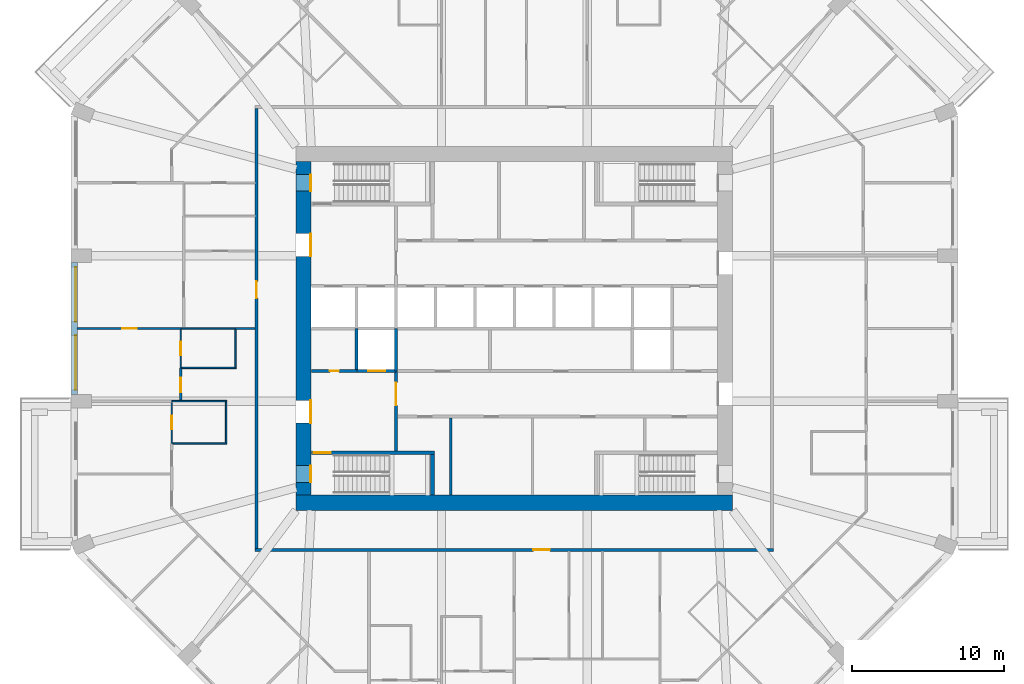
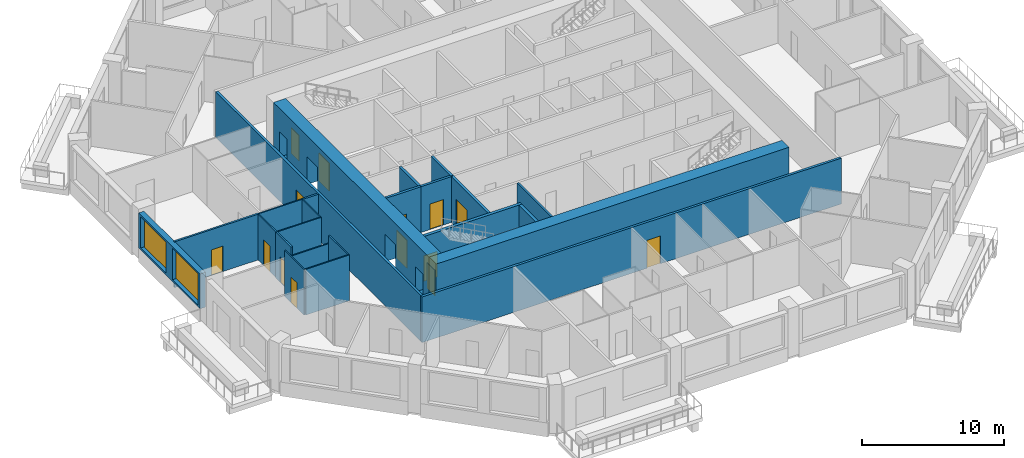
# One storey, part 4 of 13: 24 walls, 14 doors, 2 windows, 16 openings.
"""IFC4 building model written with IfcOpenShell, lengths in metres."""

from ifc_helpers import new_model, si_unit, direction, frame, frame_2d, origin, place, context, subcontext, project, spatial, rectangle, extrude, material, layer, layer_set, type_object, element, fill, save


model = new_model("IFC4")

# Units and contexts
model_context = context("Model", 3, precision=1e-05, world=origin(), true_north=direction((0.0, 1.0)))
body_context = subcontext(model_context, "Body", "Model", "MODEL_VIEW")
ifc_project = project(units=[si_unit("LENGTHUNIT", "METRE"), si_unit("AREAUNIT", "SQUARE_METRE"), si_unit("VOLUMEUNIT", "CUBIC_METRE"), si_unit("PLANEANGLEUNIT", "RADIAN"), si_unit("MASSUNIT", "GRAM", prefix="KILO")], contexts=[model_context])

# Site, building, storey
site_placement = place(None, origin())
site = spatial("IfcSite", under=ifc_project, at=site_placement, CompositionType="ELEMENT")
building_placement = place(site_placement, origin())
building = spatial("IfcBuilding", under=site, at=building_placement, Name="Msitu Wima Residences", CompositionType="ELEMENT")
storey_placement = place(building_placement, frame((0.0, 0.0, 84.300048828125)))
storey = spatial("IfcBuildingStorey", under=building, at=storey_placement, Name="L19", CompositionType="ELEMENT", Elevation=84.300048828125)

# Wall, openings, windows
ifc_material_1 = material(Name="Brick (red buff mix)", Category="masonry")
ifc_layer_1 = layer(ifc_material_1, 0.449951171875)
ifc_layer_set_1 = layer_set([ifc_layer_1], Name="Brick (red buff mix)")
wall_type_1 = type_object("IfcWallType", Name="Brick infill wall BW450", PredefinedType="SOLIDWALL", material=ifc_layer_set_1)
wall_1_placement = place(storey_placement, frame((-29.02490234375, 4.35009765625, 0.89990234375), z_axis=(0.0, 0.0, 1.0), x_axis=(0.0, -1.0, 0.0)))
wall_1 = element("IfcWall", 1, at=wall_1_placement, inside=storey, type_object=wall_type_1, Name="Brick infill wall L19 W1", PredefinedType="SOLIDWALL", context=body_context, shape_type="SweptSolid", body=[
    extrude(rectangle(XDim=8.7001953125, YDim=0.449951171875, at=frame_2d((4.35009765625, 0.0))), origin(), (0.0, 0.0, 1.0), 3.0),
])
opening_1_placement = place(wall_1_placement, frame((0.300048828125, 0.0, 0.14990234375)))
opening_1 = element("IfcOpeningElement", 2, at=opening_1_placement, cuts=wall_1, Name="Opening W18-20.031", PredefinedType="OPENING", context=body_context, shape_type="SweptSolid", body=[
    extrude(rectangle(XDim=3.60009765625, YDim=2.699951171875, at=frame_2d((1.800048828125, 1.35009765625))), frame((0.0, 0.23486328125, 0.0), z_axis=(0.0, -1.0, 0.0), x_axis=(1.0, 0.0, 0.0)), (0.0, 0.0, 1.0), 0.469970703125),
])
opening_2_placement = place(wall_1_placement, frame((4.800048828125, 0.0, 0.14990234375)))
opening_2 = element("IfcOpeningElement", 3, at=opening_2_placement, cuts=wall_1, Name="Opening W18-20.032", PredefinedType="OPENING", context=body_context, shape_type="SweptSolid", body=[
    extrude(rectangle(XDim=3.60009765625, YDim=2.699951171875, at=frame_2d((1.800048828125, 1.35009765625))), frame((0.0, 0.23486328125, 0.0), z_axis=(0.0, -1.0, 0.0), x_axis=(1.0, 0.0, 0.0)), (0.0, 0.0, 1.0), 0.469970703125),
])
ifc_material_2 = material(Name="Anodised aluminium, bronze finish, clear low-emissivity double glazing", Category="aluminium")
window_type = type_object("IfcWindowType", Name="Window W3600x2700", PartitioningType="DOUBLE_PANEL_VERTICAL", PredefinedType="WINDOW", material=ifc_material_2)
window_1_placement = place(opening_1_placement, origin())
window_1 = element("IfcWindow", 4, at=window_1_placement, inside=storey, type_object=window_type, Name="Window L19 W1.1", OverallHeight=2.699951171875, OverallWidth=3.60009765625, PartitioningType="SINGLE_PANEL", PredefinedType="WINDOW", context=body_context, shape_type="SweptSolid", body=[
    extrude(rectangle(XDim=3.60009765625, YDim=2.699951171875, at=frame_2d((1.800048828125, 1.35009765625))), frame((0.0, 0.135009765625, 0.0), z_axis=(0.0, -1.0, 0.0), x_axis=(1.0, 0.0, 0.0)), (0.0, 0.0, 1.0), 0.06005859375),
])
fill(opening_1, window_1)
window_2_placement = place(opening_2_placement, origin())
window_2 = element("IfcWindow", 5, at=window_2_placement, inside=storey, type_object=window_type, Name="Window L19 W1.2", OverallHeight=2.699951171875, OverallWidth=3.60009765625, PartitioningType="SINGLE_PANEL", PredefinedType="WINDOW", context=body_context, shape_type="SweptSolid", body=[
    extrude(rectangle(XDim=3.60009765625, YDim=2.699951171875, at=frame_2d((1.800048828125, 1.35009765625))), frame((0.0, 0.135009765625, 0.0), z_axis=(0.0, -1.0, 0.0), x_axis=(1.0, 0.0, 0.0)), (0.0, 0.0, 1.0), 0.06005859375),
])
fill(opening_2, window_2)

# Wall
ifc_material_3 = material(Name="Concrete C80/95", Category="concrete")
ifc_layer_2 = layer(ifc_material_3, 1.0)
ifc_layer_set_2 = layer_set([ifc_layer_2], Name="Concrete C80/95")
wall_type_2 = type_object("IfcWallType", Name="Core wall CW1000 C80/95", PredefinedType="SHEAR", material=ifc_layer_set_2)
wall_2_placement = place(storey_placement, frame((-14.39990234375, -11.5, 0.0), z_axis=(0.0, 0.0, 1.0), x_axis=(1.0, 0.0, 0.0)))
element("IfcWall", 6, at=wall_2_placement, inside=storey, type_object=wall_type_2, Name="Core wall", PredefinedType="SHEAR", context=body_context, shape_type="SweptSolid", body=[
    extrude(rectangle(XDim=28.7998046875, YDim=1.0, at=frame_2d((14.39990234375, 0.0))), origin(), (0.0, 0.0, 1.0), 4.199951171875),
])

# Wall, openings, doors
wall_3_placement = place(storey_placement, frame((-13.89990234375, -11.0, 0.0), z_axis=(0.0, 0.0, 1.0), x_axis=(0.0, 1.0, 0.0)))
wall_3 = element("IfcWall", 7, at=wall_3_placement, inside=storey, type_object=wall_type_2, Name="Core wall", PredefinedType="SHEAR", context=body_context, shape_type="SweptSolid", body=[
    extrude(rectangle(XDim=22.0, YDim=1.0, at=frame_2d((11.0, 0.0))), origin(), (0.0, 0.0, 1.0), 4.199951171875),
])
opening_3_placement = place(wall_3_placement, frame((20.050048828125, 0.0, 0.0)))
opening_3 = element("IfcOpeningElement", 8, at=opening_3_placement, cuts=wall_3, Name="Opening D18-20.031", PredefinedType="OPENING", context=body_context, shape_type="SweptSolid", body=[
    extrude(rectangle(XDim=1.10009765625, YDim=2.199951171875, at=frame_2d((0.550048828125, 1.10009765625))), frame((0.0, 0.510009765625, 0.0), z_axis=(0.0, -1.0, 0.0), x_axis=(1.0, 0.0, 0.0)), (0.0, 0.0, 1.0), 1.02001953125),
])
opening_4_placement = place(wall_3_placement, frame((0.85009765625, 0.0, 0.0)))
opening_4 = element("IfcOpeningElement", 9, at=opening_4_placement, cuts=wall_3, Name="Opening D18-20.033", PredefinedType="OPENING", context=body_context, shape_type="SweptSolid", body=[
    extrude(rectangle(XDim=1.10009765625, YDim=2.199951171875, at=frame_2d((0.550048828125, 1.10009765625))), frame((0.0, 0.510009765625, 0.0), z_axis=(0.0, -1.0, 0.0), x_axis=(1.0, 0.0, 0.0)), (0.0, 0.0, 1.0), 1.02001953125),
])
opening_5_placement = place(wall_3_placement, frame((15.75, 0.0, 0.0)))
opening_5 = element("IfcOpeningElement", 10, at=opening_5_placement, cuts=wall_3, Name="Opening D18-20.012", PredefinedType="OPENING", context=body_context, shape_type="SweptSolid", body=[
    extrude(rectangle(XDim=1.5, YDim=2.39990234375, at=frame_2d((0.75, 1.199951171875))), frame((0.0, 0.510009765625, 0.0), z_axis=(0.0, -1.0, 0.0), x_axis=(1.0, 0.0, 0.0)), (0.0, 0.0, 1.0), 1.02001953125),
])
opening_6_placement = place(wall_3_placement, frame((4.75, 0.0, 0.0)))
opening_6 = element("IfcOpeningElement", 11, at=opening_6_placement, cuts=wall_3, Name="Opening D18-20.014", PredefinedType="OPENING", context=body_context, shape_type="SweptSolid", body=[
    extrude(rectangle(XDim=1.5, YDim=2.39990234375, at=frame_2d((0.75, 1.199951171875))), frame((0.0, 0.510009765625, 0.0), z_axis=(0.0, -1.0, 0.0), x_axis=(1.0, 0.0, 0.0)), (0.0, 0.0, 1.0), 1.02001953125),
])
ifc_material_4 = material(Name="Steel framed glazed door, fire resisting", Category="steel")
door_type_1 = type_object("IfcDoorType", Name="Lobby door D07 1500x2400", OperationType="DOUBLE_DOOR_SINGLE_SWING", PredefinedType="DOOR", material=ifc_material_4)
door_1_placement = place(opening_5_placement, origin())
door_1 = element("IfcDoor", 12, at=door_1_placement, inside=storey, type_object=door_type_1, Name="Lobby door", OperationType="DOUBLE_DOOR_SINGLE_SWING", OverallHeight=2.39990234375, OverallWidth=1.5, PredefinedType="DOOR", context=body_context, shape_type="SweptSolid", body=[
    extrude(rectangle(XDim=1.5, YDim=2.39990234375, at=frame_2d((0.75, 1.199951171875))), frame((0.0, -0.44482421875, 0.0), z_axis=(0.0, -1.0, 0.0), x_axis=(1.0, 0.0, 0.0)), (0.0, 0.0, 1.0), 0.050048828125),
])
fill(opening_5, door_1)
door_2_placement = place(opening_6_placement, origin())
door_2 = element("IfcDoor", 13, at=door_2_placement, inside=storey, type_object=door_type_1, Name="Lobby door", OperationType="DOUBLE_DOOR_SINGLE_SWING", OverallHeight=2.39990234375, OverallWidth=1.5, PredefinedType="DOOR", context=body_context, shape_type="SweptSolid", body=[
    extrude(rectangle(XDim=1.5, YDim=2.39990234375, at=frame_2d((0.75, 1.199951171875))), frame((0.0, -0.44482421875, 0.0), z_axis=(0.0, -1.0, 0.0), x_axis=(1.0, 0.0, 0.0)), (0.0, 0.0, 1.0), 0.050048828125),
])
fill(opening_6, door_2)
ifc_material_5 = material(Name="Steel door, fire resisting, panic bar", Category="steel")
door_type_2 = type_object("IfcDoorType", Name="Stair door D06 1100x2200", OperationType="SINGLE_SWING_LEFT", PredefinedType="DOOR", material=ifc_material_5)
door_3_placement = place(opening_3_placement, origin())
door_3 = element("IfcDoor", 14, at=door_3_placement, inside=storey, type_object=door_type_2, Name="Stair door", OperationType="SINGLE_SWING_RIGHT", OverallHeight=2.199951171875, OverallWidth=1.10009765625, PredefinedType="DOOR", context=body_context, shape_type="SweptSolid", body=[
    extrude(rectangle(XDim=1.10009765625, YDim=2.199951171875, at=frame_2d((0.550048828125, 1.10009765625))), frame((0.0, -0.44482421875, 0.0), z_axis=(0.0, -1.0, 0.0), x_axis=(1.0, 0.0, 0.0)), (0.0, 0.0, 1.0), 0.050048828125),
])
fill(opening_3, door_3)
door_4_placement = place(opening_4_placement, origin())
door_4 = element("IfcDoor", 15, at=door_4_placement, inside=storey, type_object=door_type_2, Name="Stair door", OperationType="SINGLE_SWING_LEFT", OverallHeight=2.199951171875, OverallWidth=1.10009765625, PredefinedType="DOOR", context=body_context, shape_type="SweptSolid", body=[
    extrude(rectangle(XDim=1.10009765625, YDim=2.199951171875, at=frame_2d((0.550048828125, 1.10009765625))), frame((0.0, -0.44482421875, 0.0), z_axis=(0.0, -1.0, 0.0), x_axis=(1.0, 0.0, 0.0)), (0.0, 0.0, 1.0), 0.050048828125),
])
fill(opening_4, door_4)

# Wall, opening, door
ifc_material_6 = material(Name="Plaster")
ifc_layer_3 = layer(ifc_material_6, 0.011962890625, Name="Plaster")
ifc_material_7 = material(Name="Concrete blockwork", Category="masonry")
ifc_layer_4 = layer(ifc_material_7, 0.176025390625, Name="Concrete blockwork")
ifc_layer_5 = layer(ifc_material_6, 0.011962890625, Name="Plaster")
ifc_layer_set_3 = layer_set([ifc_layer_3, ifc_layer_4, ifc_layer_5], Name="Concrete blockwork")
wall_type_3 = type_object("IfcWallType", Name="Corridor wall FW200", PredefinedType="PARTITIONING", material=ifc_layer_set_3)
wall_4_placement = place(storey_placement, frame((-17.0, -14.5, 0.0), z_axis=(0.0, 0.0, 1.0), x_axis=(0.0, 1.0, 0.0)))
wall_4 = element("IfcWall", 16, at=wall_4_placement, inside=storey, type_object=wall_type_3, Name="Corridor wall", PredefinedType="PARTITIONING", context=body_context, shape_type="SweptSolid", body=[
    extrude(rectangle(XDim=29.0, YDim=0.199951171875, at=frame_2d((14.5, 0.0))), origin(), (0.0, 0.0, 1.0), 3.949951171875),
])
opening_7_placement = place(wall_4_placement, frame((16.5, 0.0, 0.0)))
opening_7 = element("IfcOpeningElement", 17, at=opening_7_placement, cuts=wall_4, Name="Opening D18-20.009", PredefinedType="OPENING", context=body_context, shape_type="SweptSolid", body=[
    extrude(rectangle(XDim=1.10009765625, YDim=2.39990234375, at=frame_2d((0.550048828125, 1.199951171875))), frame((0.0, 0.10986328125, 0.0), z_axis=(0.0, -1.0, 0.0), x_axis=(1.0, 0.0, 0.0)), (0.0, 0.0, 1.0), 0.219970703125),
])
ifc_material_8 = material(Name="Timber flush door, fire resisting, self-closing", Category="wood")
door_type_3 = type_object("IfcDoorType", Name="Flat entrance door D01 1100x2400", OperationType="SINGLE_SWING_LEFT", PredefinedType="DOOR", material=ifc_material_8)
door_5_placement = place(opening_7_placement, origin())
door_5 = element("IfcDoor", 18, at=door_5_placement, inside=storey, type_object=door_type_3, Name="Flat entrance door", OperationType="SINGLE_SWING_RIGHT", OverallHeight=2.39990234375, OverallWidth=1.10009765625, PredefinedType="DOOR", context=body_context, shape_type="SweptSolid", body=[
    extrude(rectangle(XDim=1.10009765625, YDim=2.39990234375, at=frame_2d((0.550048828125, 1.199951171875))), frame((0.0, 0.02490234375, 0.0), z_axis=(0.0, -1.0, 0.0), x_axis=(1.0, 0.0, 0.0)), (0.0, 0.0, 1.0), 0.050048828125),
])
fill(opening_7, door_5)

wall_5_placement = place(storey_placement, frame((-17.10009765625, -14.60009765625, 0.0), z_axis=(0.0, 0.0, 1.0), x_axis=(1.0, 0.0, 0.0)))
wall_5 = element("IfcWall", 19, at=wall_5_placement, inside=storey, type_object=wall_type_3, Name="Corridor wall", PredefinedType="PARTITIONING", context=body_context, shape_type="SweptSolid", body=[
    extrude(rectangle(XDim=34.2001953125, YDim=0.199951171875, at=frame_2d((17.10009765625, 0.0))), origin(), (0.0, 0.0, 1.0), 3.949951171875),
])
opening_8_placement = place(wall_5_placement, frame((18.35009765625, 0.0, 0.0)))
opening_8 = element("IfcOpeningElement", 20, at=opening_8_placement, cuts=wall_5, Name="Opening D18-20.010", PredefinedType="OPENING", context=body_context, shape_type="SweptSolid", body=[
    extrude(rectangle(XDim=1.10009765625, YDim=2.39990234375, at=frame_2d((0.550048828125, 1.199951171875))), frame((0.0, 0.10986328125, 0.0), z_axis=(0.0, -1.0, 0.0), x_axis=(1.0, 0.0, 0.0)), (0.0, 0.0, 1.0), 0.219970703125),
])
door_6_placement = place(opening_8_placement, origin())
door_6 = element("IfcDoor", 21, at=door_6_placement, inside=storey, type_object=door_type_3, Name="Flat entrance door", OperationType="SINGLE_SWING_RIGHT", OverallHeight=2.39990234375, OverallWidth=1.10009765625, PredefinedType="DOOR", context=body_context, shape_type="SweptSolid", body=[
    extrude(rectangle(XDim=1.10009765625, YDim=2.39990234375, at=frame_2d((0.550048828125, 1.199951171875))), frame((0.0, 0.02490234375, 0.0), z_axis=(0.0, -1.0, 0.0), x_axis=(1.0, 0.0, 0.0)), (0.0, 0.0, 1.0), 0.050048828125),
])
fill(opening_8, door_6)

wall_6_placement = place(storey_placement, frame((-7.800048828125, -8.074951171875, 0.0), z_axis=(0.0, 0.0, 1.0), x_axis=(0.0, 1.0, 0.0)))
wall_6 = element("IfcWall", 22, at=wall_6_placement, inside=storey, type_object=wall_type_3, Name="Corridor wall", PredefinedType="PARTITIONING", context=body_context, shape_type="SweptSolid", body=[
    extrude(rectangle(XDim=5.27490234375, YDim=0.199951171875, at=frame_2d((2.637451171875, 0.0))), origin(), (0.0, 0.0, 1.0), 3.949951171875),
])
opening_9_placement = place(wall_6_placement, frame((3.0, 0.0, 0.0)))
opening_9 = element("IfcOpeningElement", 23, at=opening_9_placement, cuts=wall_6, Name="Opening D18-20.015", PredefinedType="OPENING", context=body_context, shape_type="SweptSolid", body=[
    extrude(rectangle(XDim=1.5, YDim=2.39990234375, at=frame_2d((0.75, 1.199951171875))), frame((0.0, 0.10986328125, 0.0), z_axis=(0.0, -1.0, 0.0), x_axis=(1.0, 0.0, 0.0)), (0.0, 0.0, 1.0), 0.219970703125),
])
door_7_placement = place(opening_9_placement, origin())
door_7 = element("IfcDoor", 24, at=door_7_placement, inside=storey, type_object=door_type_1, Name="Lobby door", OperationType="DOUBLE_DOOR_SINGLE_SWING", OverallHeight=2.39990234375, OverallWidth=1.5, PredefinedType="DOOR", context=body_context, shape_type="SweptSolid", body=[
    extrude(rectangle(XDim=1.5, YDim=2.39990234375, at=frame_2d((0.75, 1.199951171875))), frame((0.0, 0.02490234375, 0.0), z_axis=(0.0, -1.0, 0.0), x_axis=(1.0, 0.0, 0.0)), (0.0, 0.0, 1.0), 0.050048828125),
])
fill(opening_9, door_7)

ifc_layer_6 = layer(ifc_material_6, 0.011962890625, Name="Plaster")
ifc_layer_7 = layer(ifc_material_7, 0.1259765625, Name="Concrete blockwork")
ifc_layer_8 = layer(ifc_material_6, 0.011962890625, Name="Plaster")
ifc_layer_set_4 = layer_set([ifc_layer_6, ifc_layer_7, ifc_layer_8], Name="Concrete blockwork")
wall_type_4 = type_object("IfcWallType", Name="Partition PW150", PredefinedType="PARTITIONING", material=ifc_layer_set_4)
wall_7_placement = place(storey_placement, frame((-28.85498046875, 0.0, 0.0), z_axis=(0.0, 0.0, 1.0), x_axis=(1.0, 0.0, 0.0)))
wall_7 = element("IfcWall", 25, at=wall_7_placement, inside=storey, type_object=wall_type_4, Name="Partition", PredefinedType="PARTITIONING", context=body_context, shape_type="SweptSolid", body=[
    extrude(rectangle(XDim=6.875, YDim=0.14990234375, at=frame_2d((3.4375, 0.0))), origin(), (0.0, 0.0, 1.0), 3.949951171875),
])
opening_10_placement = place(wall_7_placement, frame((3.0, 0.0, 0.0)))
opening_10 = element("IfcOpeningElement", 26, at=opening_10_placement, cuts=wall_7, Name="Opening D18-20.054", PredefinedType="OPENING", context=body_context, shape_type="SweptSolid", body=[
    extrude(rectangle(XDim=0.949951171875, YDim=2.199951171875, at=frame_2d((0.47509765625, 1.10009765625))), frame((0.0, 0.0849609375, 0.0), z_axis=(0.0, -1.0, 0.0), x_axis=(1.0, 0.0, 0.0)), (0.0, 0.0, 1.0), 0.169921875),
])
ifc_material_9 = material(Name="Timber flush door", Category="wood")
door_type_4 = type_object("IfcDoorType", Name="Room door D12 950x2200", OperationType="SINGLE_SWING_LEFT", PredefinedType="DOOR", material=ifc_material_9)
door_8_placement = place(opening_10_placement, origin())
door_8 = element("IfcDoor", 27, at=door_8_placement, inside=storey, type_object=door_type_4, Name="Room door", OperationType="SINGLE_SWING_RIGHT", OverallHeight=2.199951171875, OverallWidth=0.949951171875, PredefinedType="DOOR", context=body_context, shape_type="SweptSolid", body=[
    extrude(rectangle(XDim=0.949951171875, YDim=2.199951171875, at=frame_2d((0.47509765625, 1.10009765625))), frame((0.0, 0.02490234375, 0.0), z_axis=(0.0, -1.0, 0.0), x_axis=(1.0, 0.0, 0.0)), (0.0, 0.0, 1.0), 0.050048828125),
])
fill(opening_10, door_8)

wall_8_placement = place(storey_placement, frame((-22.0, -4.75, 0.0), z_axis=(0.0, 0.0, 1.0), x_axis=(0.0, 1.0, 0.0)))
wall_8 = element("IfcWall", 28, at=wall_8_placement, inside=storey, type_object=wall_type_4, Name="Partition", PredefinedType="PARTITIONING", context=body_context, shape_type="SweptSolid", body=[
    extrude(rectangle(XDim=2.1298828125, YDim=0.14990234375, at=frame_2d((1.06494140625, 0.0))), origin(), (0.0, 0.0, 1.0), 3.949951171875),
])
opening_11_placement = place(wall_8_placement, frame((0.550048828125, 0.0, 0.0)))
opening_11 = element("IfcOpeningElement", 29, at=opening_11_placement, cuts=wall_8, Name="Opening D18-20.056", PredefinedType="OPENING", context=body_context, shape_type="SweptSolid", body=[
    extrude(rectangle(XDim=0.949951171875, YDim=2.199951171875, at=frame_2d((0.47509765625, 1.10009765625))), frame((0.0, 0.0849609375, 0.0), z_axis=(0.0, -1.0, 0.0), x_axis=(1.0, 0.0, 0.0)), (0.0, 0.0, 1.0), 0.169921875),
])
door_9_placement = place(opening_11_placement, origin())
door_9 = element("IfcDoor", 30, at=door_9_placement, inside=storey, type_object=door_type_4, Name="Room door", OperationType="SINGLE_SWING_LEFT", OverallHeight=2.199951171875, OverallWidth=0.949951171875, PredefinedType="DOOR", context=body_context, shape_type="SweptSolid", body=[
    extrude(rectangle(XDim=0.949951171875, YDim=2.199951171875, at=frame_2d((0.47509765625, 1.10009765625))), frame((0.0, 0.02490234375, 0.0), z_axis=(0.0, -1.0, 0.0), x_axis=(1.0, 0.0, 0.0)), (0.0, 0.0, 1.0), 0.050048828125),
])
fill(opening_11, door_9)

# Walls
wall_9_placement = place(storey_placement, frame((-18.3798828125, 0.0, 0.0), z_axis=(0.0, 0.0, 1.0), x_axis=(1.0, 0.0, 0.0)))
element("IfcWall", 31, at=wall_9_placement, inside=storey, type_object=wall_type_4, Name="Partition", PredefinedType="PARTITIONING", context=body_context, shape_type="SweptSolid", body=[
    extrude(rectangle(XDim=1.27978515625, YDim=0.14990234375, at=frame_2d((0.639892578125, 0.0))), origin(), (0.0, 0.0, 1.0), 3.949951171875),
])
wall_10_placement = place(storey_placement, frame((-4.199951171875, -10.969970703125, 0.0), z_axis=(0.0, 0.0, 1.0), x_axis=(0.0, 1.0, 0.0)))
element("IfcWall", 32, at=wall_10_placement, inside=storey, type_object=wall_type_4, Name="Partition", PredefinedType="PARTITIONING", context=body_context, shape_type="SweptSolid", body=[
    extrude(rectangle(XDim=5.070068359375, YDim=0.14990234375, at=frame_2d((2.53515625, 0.0))), origin(), (0.0, 0.0, 1.0), 3.949951171875),
])

# Wall, opening, door
ifc_layer_9 = layer(ifc_material_6, 0.011962890625, Name="Plaster")
ifc_material_10 = material(Name="Reinforced concrete blockwork", Category="masonry")
ifc_layer_10 = layer(ifc_material_10, 0.176025390625, Name="Reinforced concrete blockwork")
ifc_layer_11 = layer(ifc_material_6, 0.011962890625, Name="Plaster")
ifc_layer_set_5 = layer_set([ifc_layer_9, ifc_layer_10, ifc_layer_11], Name="Reinforced concrete blockwork")
wall_type_5 = type_object("IfcWallType", Name="Plant and riser wall PL200", PredefinedType="PARTITIONING", material=ifc_layer_set_5)
wall_11_placement = place(storey_placement, frame((-13.3701171875, -2.800048828125, 0.0), z_axis=(0.0, 0.0, 1.0), x_axis=(1.0, 0.0, 0.0)))
wall_11 = element("IfcWall", 33, at=wall_11_placement, inside=storey, type_object=wall_type_5, Name="Plant and riser wall", PredefinedType="PARTITIONING", context=body_context, shape_type="SweptSolid", body=[
    extrude(rectangle(XDim=2.990234375, YDim=0.199951171875, at=frame_2d((1.4951171875, 0.0))), origin(), (0.0, 0.0, 1.0), 3.949951171875),
])
opening_12_placement = place(wall_11_placement, frame((1.199951171875, 0.0, 0.0)))
opening_12 = element("IfcOpeningElement", 34, at=opening_12_placement, cuts=wall_11, Name="Opening D18-20.028", PredefinedType="OPENING", context=body_context, shape_type="SweptSolid", body=[
    extrude(rectangle(XDim=0.60009765625, YDim=2.0, at=frame_2d((0.300048828125, 1.0))), frame((0.0, 0.10986328125, 0.0), z_axis=(0.0, -1.0, 0.0), x_axis=(1.0, 0.0, 0.0)), (0.0, 0.0, 1.0), 0.219970703125),
])
ifc_material_11 = material(Name="Steel access door, fire resisting", Category="steel")
door_type_5 = type_object("IfcDoorType", Name="Riser access door D08 600x2000", OperationType="SINGLE_SWING_LEFT", PredefinedType="DOOR", material=ifc_material_11)
door_10_placement = place(opening_12_placement, origin())
door_10 = element("IfcDoor", 35, at=door_10_placement, inside=storey, type_object=door_type_5, Name="Riser access door", OperationType="SINGLE_SWING_RIGHT", OverallHeight=2.0, OverallWidth=0.60009765625, PredefinedType="DOOR", context=body_context, shape_type="SweptSolid", body=[
    extrude(rectangle(XDim=0.60009765625, YDim=2.0, at=frame_2d((0.300048828125, 1.0))), frame((0.0, 0.02490234375, 0.0), z_axis=(0.0, -1.0, 0.0), x_axis=(1.0, 0.0, 0.0)), (0.0, 0.0, 1.0), 0.050048828125),
])
fill(opening_12, door_10)

# Wall
ifc_material_12 = material(Name="Fire-rated board")
ifc_layer_12 = layer(ifc_material_12, 0.02490234375, Name="Fire-rated board")
ifc_material_13 = material(Name="Light-gauge stud framing with mineral wool")
ifc_layer_13 = layer(ifc_material_13, 0.14990234375, Name="Light-gauge stud framing with mineral wool")
ifc_layer_14 = layer(ifc_material_12, 0.02490234375, Name="Fire-rated board")
ifc_layer_set_6 = layer_set([ifc_layer_12, ifc_layer_13, ifc_layer_14], Name="Light-gauge stud framing with mineral wool")
wall_type_6 = type_object("IfcWallType", Name="Shaft wall SH200", PredefinedType="PARTITIONING", material=ifc_layer_set_6)
wall_12_placement = place(storey_placement, frame((-10.39990234375, -2.699951171875, 0.0), z_axis=(0.0, 0.0, 1.0), x_axis=(0.0, 1.0, 0.0)))
element("IfcWall", 36, at=wall_12_placement, inside=storey, type_object=wall_type_6, Name="Shaft wall", PredefinedType="PARTITIONING", context=body_context, shape_type="SweptSolid", body=[
    extrude(rectangle(XDim=2.699951171875, YDim=0.199951171875, at=frame_2d((1.35009765625, 0.0))), origin(), (0.0, 0.0, 1.0), 3.949951171875),
])

# Wall, opening, door
wall_13_placement = place(storey_placement, frame((-10.3798828125, -2.800048828125, 0.0), z_axis=(0.0, 0.0, 1.0), x_axis=(1.0, 0.0, 0.0)))
wall_13 = element("IfcWall", 37, at=wall_13_placement, inside=storey, type_object=wall_type_6, Name="Shaft wall", PredefinedType="PARTITIONING", context=body_context, shape_type="SweptSolid", body=[
    extrude(rectangle(XDim=2.559814453125, YDim=0.199951171875, at=frame_2d((1.27978515625, 0.0))), origin(), (0.0, 0.0, 1.0), 3.949951171875),
])
opening_13_placement = place(wall_13_placement, frame((0.75, 0.0, 0.0)))
opening_13 = element("IfcOpeningElement", 38, at=opening_13_placement, cuts=wall_13, Name="Opening LD", PredefinedType="OPENING", context=body_context, shape_type="SweptSolid", body=[
    extrude(rectangle(XDim=1.10009765625, YDim=2.199951171875, at=frame_2d((0.550048828125, 1.10009765625))), frame((0.0, 0.10986328125, 0.0), z_axis=(0.0, -1.0, 0.0), x_axis=(1.0, 0.0, 0.0)), (0.0, 0.0, 1.0), 0.219970703125),
])
ifc_material_14 = material(Name="Stainless steel centre-opening landing door, rated", Category="steel")
door_type_6 = type_object("IfcDoorType", Name="Lift landing door LD 1100x2200", OperationType="DOUBLE_DOOR_SLIDING", PredefinedType="DOOR", material=ifc_material_14)
door_11_placement = place(opening_13_placement, origin())
door_11 = element("IfcDoor", 39, at=door_11_placement, inside=storey, type_object=door_type_6, Name="Lift landing door LD3", OperationType="DOUBLE_DOOR_SLIDING", OverallHeight=2.199951171875, OverallWidth=1.10009765625, PredefinedType="DOOR", context=body_context, shape_type="SweptSolid", body=[
    extrude(rectangle(XDim=1.10009765625, YDim=2.199951171875, at=frame_2d((0.550048828125, 1.10009765625))), frame((0.0, 0.02490234375, 0.0), z_axis=(0.0, -1.0, 0.0), x_axis=(1.0, 0.0, 0.0)), (0.0, 0.0, 1.0), 0.050048828125),
])
fill(opening_13, door_11)

# Wall
wall_14_placement = place(storey_placement, frame((-7.800048828125, -2.800048828125, 0.0), z_axis=(0.0, 0.0, 1.0), x_axis=(0.0, 1.0, 0.0)))
element("IfcWall", 40, at=wall_14_placement, inside=storey, type_object=wall_type_6, Name="Shaft wall", PredefinedType="PARTITIONING", context=body_context, shape_type="SweptSolid", body=[
    extrude(rectangle(XDim=2.800048828125, YDim=0.199951171875, at=frame_2d((1.39990234375, 0.0))), origin(), (0.0, 0.0, 1.0), 3.949951171875),
])

# Wall, opening, door
ifc_material_15 = material(Name="Concrete C50/60", Category="concrete")
ifc_layer_15 = layer(ifc_material_15, 0.25)
ifc_layer_set_7 = layer_set([ifc_layer_15], Name="Concrete C50/60")
wall_type_7 = type_object("IfcWallType", Name="Stair enclosure wall SW250", PredefinedType="SHEAR", material=ifc_layer_set_7)
wall_15_placement = place(storey_placement, frame((-13.3701171875, -8.199951171875, 0.0), z_axis=(0.0, 0.0, 1.0), x_axis=(1.0, 0.0, 0.0)))
wall_15 = element("IfcWall", 41, at=wall_15_placement, inside=storey, type_object=wall_type_7, Name="Stair enclosure wall", PredefinedType="SHEAR", context=body_context, shape_type="SweptSolid", body=[
    extrude(rectangle(XDim=8.09521484375, YDim=0.25, at=frame_2d((4.047607421875, 0.0))), origin(), (0.0, 0.0, 1.0), 3.949951171875),
])
opening_14_placement = place(wall_15_placement, frame((0.14990234375, 0.0, 0.0)))
opening_14 = element("IfcOpeningElement", 42, at=opening_14_placement, cuts=wall_15, Name="Opening D18-20.034", PredefinedType="OPENING", context=body_context, shape_type="SweptSolid", body=[
    extrude(rectangle(XDim=1.10009765625, YDim=2.199951171875, at=frame_2d((0.550048828125, 1.10009765625))), frame((0.0, 0.135009765625, 0.0), z_axis=(0.0, -1.0, 0.0), x_axis=(1.0, 0.0, 0.0)), (0.0, 0.0, 1.0), 0.27001953125),
])
door_12_placement = place(opening_14_placement, origin())
door_12 = element("IfcDoor", 43, at=door_12_placement, inside=storey, type_object=door_type_2, Name="Stair door", OperationType="SINGLE_SWING_RIGHT", OverallHeight=2.199951171875, OverallWidth=1.10009765625, PredefinedType="DOOR", context=body_context, shape_type="SweptSolid", body=[
    extrude(rectangle(XDim=1.10009765625, YDim=2.199951171875, at=frame_2d((0.550048828125, 1.10009765625))), frame((0.0, 0.02490234375, 0.0), z_axis=(0.0, -1.0, 0.0), x_axis=(1.0, 0.0, 0.0)), (0.0, 0.0, 1.0), 0.050048828125),
])
fill(opening_14, door_12)

# Walls
wall_16_placement = place(storey_placement, frame((-5.39990234375, -10.969970703125, 0.0), z_axis=(0.0, 0.0, 1.0), x_axis=(0.0, 1.0, 0.0)))
element("IfcWall", 44, at=wall_16_placement, inside=storey, type_object=wall_type_7, Name="Stair enclosure wall", PredefinedType="SHEAR", context=body_context, shape_type="SweptSolid", body=[
    extrude(rectangle(XDim=2.64501953125, YDim=0.25, at=frame_2d((1.322509765625, 0.0))), origin(), (0.0, 0.0, 1.0), 3.949951171875),
])
ifc_material_16 = material(Name="Ceramic tiles")
ifc_layer_16 = layer(ifc_material_16, 0.008056640625, Name="Ceramic tiles")
ifc_material_17 = material(Name="Moisture-resistant board")
ifc_layer_17 = layer(ifc_material_17, 0.012451171875, Name="Moisture-resistant board")
ifc_layer_18 = layer(ifc_material_13, 0.06689453125, Name="Light-gauge stud framing with mineral wool")
ifc_layer_19 = layer(ifc_material_17, 0.012451171875, Name="Moisture-resistant board")
ifc_layer_set_8 = layer_set([ifc_layer_16, ifc_layer_17, ifc_layer_18, ifc_layer_19], Name="Light-gauge stud framing with mineral wool")
wall_type_8 = type_object("IfcWallType", Name="Wet wall PW100", PredefinedType="PARTITIONING", material=ifc_layer_set_8)
wall_17_placement = place(storey_placement, frame((-22.580078125, -4.800048828125, 0.0), z_axis=(0.0, 0.0, 1.0), x_axis=(1.0, 0.0, 0.0)))
element("IfcWall", 45, at=wall_17_placement, inside=storey, type_object=wall_type_8, Name="Wet wall", PredefinedType="PARTITIONING", context=body_context, shape_type="SweptSolid", body=[
    extrude(rectangle(XDim=3.630126953125, YDim=0.10009765625, at=frame_2d((1.81494140625, 0.0))), origin(), (0.0, 0.0, 1.0), 3.25),
])

# Wall, opening, door
wall_18_placement = place(storey_placement, frame((-22.60009765625, -7.60009765625, 0.0), z_axis=(0.0, 0.0, 1.0), x_axis=(0.0, 1.0, 0.0)))
wall_18 = element("IfcWall", 46, at=wall_18_placement, inside=storey, type_object=wall_type_8, Name="Wet wall", PredefinedType="PARTITIONING", context=body_context, shape_type="SweptSolid", body=[
    extrude(rectangle(XDim=2.72509765625, YDim=0.10009765625, at=frame_2d((1.362548828125, 0.0))), origin(), (0.0, 0.0, 1.0), 3.949951171875),
])
opening_15_placement = place(wall_18_placement, frame((0.949951171875, 0.0, 0.0)))
opening_15 = element("IfcOpeningElement", 47, at=opening_15_placement, cuts=wall_18, Name="Opening D18-20.061", PredefinedType="OPENING", context=body_context, shape_type="SweptSolid", body=[
    extrude(rectangle(XDim=0.89990234375, YDim=2.199951171875, at=frame_2d((0.449951171875, 1.10009765625))), frame((0.0, 0.06005859375, 0.0), z_axis=(0.0, -1.0, 0.0), x_axis=(1.0, 0.0, 0.0)), (0.0, 0.0, 1.0), 0.1201171875),
])
ifc_material_18 = material(Name="Timber flush door, moisture resistant", Category="wood")
door_type_7 = type_object("IfcDoorType", Name="Bathroom door D03 900x2200", OperationType="SINGLE_SWING_LEFT", PredefinedType="DOOR", material=ifc_material_18)
door_13_placement = place(opening_15_placement, origin())
door_13 = element("IfcDoor", 48, at=door_13_placement, inside=storey, type_object=door_type_7, Name="Bathroom door", OperationType="SINGLE_SWING_LEFT", OverallHeight=2.199951171875, OverallWidth=0.89990234375, PredefinedType="DOOR", context=body_context, shape_type="SweptSolid", body=[
    extrude(rectangle(XDim=0.89990234375, YDim=2.199951171875, at=frame_2d((0.449951171875, 1.10009765625))), frame((0.0, 0.02490234375, 0.0), z_axis=(0.0, -1.0, 0.0), x_axis=(1.0, 0.0, 0.0)), (0.0, 0.0, 1.0), 0.050048828125),
])
fill(opening_15, door_13)

# Walls
wall_19_placement = place(storey_placement, frame((-22.52490234375, -7.60009765625, 0.0), z_axis=(0.0, 0.0, 1.0), x_axis=(1.0, 0.0, 0.0)))
element("IfcWall", 49, at=wall_19_placement, inside=storey, type_object=wall_type_8, Name="Wet wall", PredefinedType="PARTITIONING", context=body_context, shape_type="SweptSolid", body=[
    extrude(rectangle(XDim=3.574951171875, YDim=0.10009765625, at=frame_2d((1.78759765625, 0.0))), origin(), (0.0, 0.0, 1.0), 3.949951171875),
])
wall_20_placement = place(storey_placement, frame((-21.97998046875, 0.0, 0.0), z_axis=(0.0, 0.0, 1.0), x_axis=(1.0, 0.0, 0.0)))
element("IfcWall", 50, at=wall_20_placement, inside=storey, type_object=wall_type_8, Name="Wet wall", PredefinedType="PARTITIONING", context=body_context, shape_type="SweptSolid", body=[
    extrude(rectangle(XDim=3.60009765625, YDim=0.10009765625, at=frame_2d((1.800048828125, 0.0))), origin(), (0.0, 0.0, 1.0), 3.949951171875),
])

# Wall, opening, door
wall_21_placement = place(storey_placement, frame((-22.0, -2.6201171875, 0.0), z_axis=(0.0, 0.0, 1.0), x_axis=(0.0, 1.0, 0.0)))
wall_21 = element("IfcWall", 51, at=wall_21_placement, inside=storey, type_object=wall_type_8, Name="Wet wall", PredefinedType="PARTITIONING", context=body_context, shape_type="SweptSolid", body=[
    extrude(rectangle(XDim=2.545166015625, YDim=0.10009765625, at=frame_2d((1.2724609375, 0.0))), origin(), (0.0, 0.0, 1.0), 3.949951171875),
])
opening_16_placement = place(wall_21_placement, frame((0.85009765625, 0.0, 0.0)))
opening_16 = element("IfcOpeningElement", 52, at=opening_16_placement, cuts=wall_21, Name="Opening D18-20.055", PredefinedType="OPENING", context=body_context, shape_type="SweptSolid", body=[
    extrude(rectangle(XDim=0.89990234375, YDim=2.199951171875, at=frame_2d((0.449951171875, 1.10009765625))), frame((0.0, 0.06005859375, 0.0), z_axis=(0.0, -1.0, 0.0), x_axis=(1.0, 0.0, 0.0)), (0.0, 0.0, 1.0), 0.1201171875),
])
door_14_placement = place(opening_16_placement, origin())
door_14 = element("IfcDoor", 53, at=door_14_placement, inside=storey, type_object=door_type_7, Name="Bathroom door", OperationType="SINGLE_SWING_RIGHT", OverallHeight=2.199951171875, OverallWidth=0.89990234375, PredefinedType="DOOR", context=body_context, shape_type="SweptSolid", body=[
    extrude(rectangle(XDim=0.89990234375, YDim=2.199951171875, at=frame_2d((0.449951171875, 1.10009765625))), frame((0.0, 0.02490234375, 0.0), z_axis=(0.0, -1.0, 0.0), x_axis=(1.0, 0.0, 0.0)), (0.0, 0.0, 1.0), 0.050048828125),
])
fill(opening_16, door_14)

# Walls
wall_22_placement = place(storey_placement, frame((-21.925048828125, -2.60009765625, 0.0), z_axis=(0.0, 0.0, 1.0), x_axis=(1.0, 0.0, 0.0)))
element("IfcWall", 54, at=wall_22_placement, inside=storey, type_object=wall_type_8, Name="Wet wall", PredefinedType="PARTITIONING", context=body_context, shape_type="SweptSolid", body=[
    extrude(rectangle(XDim=3.574951171875, YDim=0.10009765625, at=frame_2d((1.78759765625, 0.0))), origin(), (0.0, 0.0, 1.0), 3.949951171875),
])
wall_23_placement = place(storey_placement, frame((-19.0, -7.550048828125, 0.0), z_axis=(0.0, 0.0, 1.0), x_axis=(0.0, 1.0, 0.0)))
element("IfcWall", 55, at=wall_23_placement, inside=storey, type_object=wall_type_8, Name="Wet wall", PredefinedType="PARTITIONING", context=body_context, shape_type="SweptSolid", body=[
    extrude(rectangle(XDim=2.699951171875, YDim=0.10009765625, at=frame_2d((1.35009765625, 0.0))), origin(), (0.0, 0.0, 1.0), 3.949951171875),
])
wall_24_placement = place(storey_placement, frame((-18.39990234375, -2.550048828125, 0.0), z_axis=(0.0, 0.0, 1.0), x_axis=(0.0, 1.0, 0.0)))
element("IfcWall", 56, at=wall_24_placement, inside=storey, type_object=wall_type_8, Name="Wet wall", PredefinedType="PARTITIONING", context=body_context, shape_type="SweptSolid", body=[
    extrude(rectangle(XDim=2.47509765625, YDim=0.10009765625, at=frame_2d((1.237548828125, 0.0))), origin(), (0.0, 0.0, 1.0), 3.949951171875),
])

save(model, "model.ifc")
